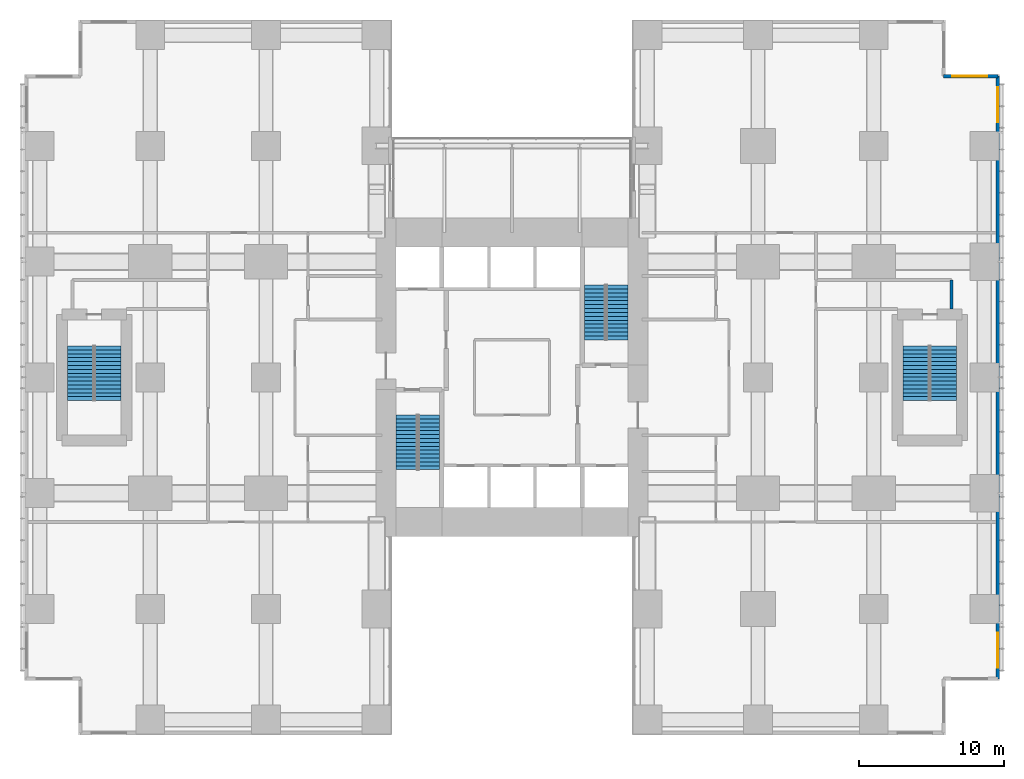
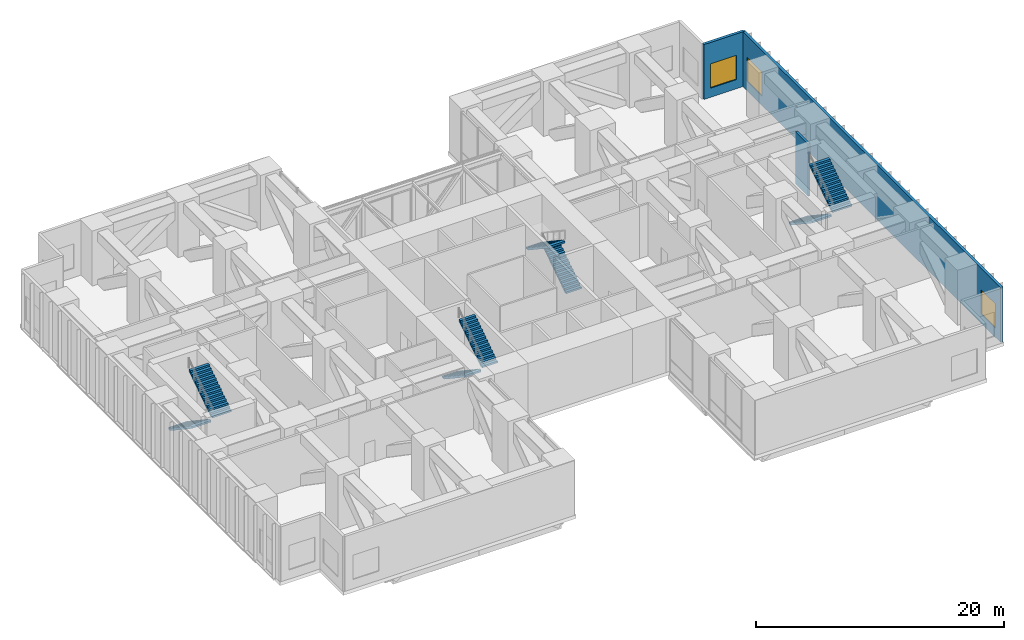
# One storey, part 16 of 17: 8 stair flights, 3 walls, 3 windows, 3 openings, 4 elements without a shape of their own.
"""IFC4 building model written with IfcOpenShell, lengths in metres."""

from ifc_helpers import new_model, si_unit, direction, frame, frame_2d, origin, place, context, subcontext, project, spatial, polyline, rectangle, outline, extrude, material, layer, layer_set, type_object, element, fill, aggregate, save


model = new_model("IFC4")

# Units and contexts
model_context = context("Model", 3, precision=1e-05, world=origin(), true_north=direction((0.0, 1.0)))
body_context = subcontext(model_context, "Body", "Model", "MODEL_VIEW")
ifc_project = project(units=[si_unit("LENGTHUNIT", "METRE"), si_unit("AREAUNIT", "SQUARE_METRE"), si_unit("VOLUMEUNIT", "CUBIC_METRE"), si_unit("PLANEANGLEUNIT", "RADIAN"), si_unit("MASSUNIT", "GRAM", prefix="KILO")], contexts=[model_context])

# Site, building, storey
site_placement = place(None, origin())
site = spatial("IfcSite", under=ifc_project, at=site_placement, CompositionType="ELEMENT")
building_placement = place(site_placement, origin())
building = spatial("IfcBuilding", under=site, at=building_placement, Name="Cleftline Residences", CompositionType="ELEMENT")
storey_placement = place(building_placement, frame((0.0, 0.0, 90.800048828125)))
storey = spatial("IfcBuildingStorey", under=building, at=storey_placement, Name="L23", CompositionType="ELEMENT", Elevation=90.800048828125)

# Wall, openings, windows
ifc_material_1 = material(Name="Rendered reinforced concrete blockwork", Category="masonry")
ifc_layer_1 = layer(ifc_material_1, 0.25)
ifc_layer_set_1 = layer_set([ifc_layer_1], Name="EXTERNAL WALL 250")
wall_type_1 = type_object("IfcWallType", Name="EXTERNAL WALL 250", PredefinedType="SOLIDWALL", material=ifc_layer_set_1)
wall_1_placement = place(storey_placement, frame((66.574951171875, 3.175048828125, 0.0), z_axis=(0.0, 0.0, 1.0), x_axis=(0.0, 1.0, 0.0)))
wall_1 = element("IfcWall", 1, at=wall_1_placement, inside=storey, type_object=wall_type_1, Name="External wall", PredefinedType="SOLIDWALL", context=body_context, shape_type="SweptSolid", body=[
    extrude(rectangle(XDim=41.64990234375, YDim=0.25, at=frame_2d((20.824951171875, 0.0))), origin(), (0.0, 0.0, 1.0), 5.39990234375),
])
opening_1_placement = place(wall_1_placement, frame((0.77490234375, 0.0, 0.89990234375)))
opening_1 = element("IfcOpeningElement", 2, at=opening_1_placement, cuts=wall_1, Name="Opening W9", PredefinedType="OPENING", context=body_context, shape_type="SweptSolid", body=[
    extrude(rectangle(XDim=2.39990234375, YDim=2.39990234375, at=frame_2d((1.199951171875, 1.199951171875))), frame((0.0, 0.135009765625, 0.0), z_axis=(0.0, -1.0, 0.0), x_axis=(1.0, 0.0, 0.0)), (0.0, 0.0, 1.0), 0.27001953125),
])
opening_2_placement = place(wall_1_placement, frame((38.47509765625, 0.0, 0.89990234375)))
opening_2 = element("IfcOpeningElement", 3, at=opening_2_placement, cuts=wall_1, Name="Opening W9", PredefinedType="OPENING", context=body_context, shape_type="SweptSolid", body=[
    extrude(rectangle(XDim=2.39990234375, YDim=2.39990234375, at=frame_2d((1.199951171875, 1.199951171875))), frame((0.0, 0.135009765625, 0.0), z_axis=(0.0, -1.0, 0.0), x_axis=(1.0, 0.0, 0.0)), (0.0, 0.0, 1.0), 0.27001953125),
])
ifc_material_2 = material(Name="Aluminium frame, clear double glazing", Category="aluminium")
window_type = type_object("IfcWindowType", Name="WINDOW 2400X2400", PartitioningType="DOUBLE_PANEL_VERTICAL", PredefinedType="WINDOW", material=ifc_material_2)
window_1_placement = place(opening_1_placement, origin())
window_1 = element("IfcWindow", 4, at=window_1_placement, inside=storey, type_object=window_type, Name="Window", OverallHeight=2.39990234375, OverallWidth=2.39990234375, PartitioningType="SINGLE_PANEL", PredefinedType="WINDOW", context=body_context, shape_type="SweptSolid", body=[
    extrude(rectangle(XDim=2.39990234375, YDim=2.39990234375, at=frame_2d((1.199951171875, 1.199951171875))), frame((0.0, 0.030029296875, 0.0), z_axis=(0.0, -1.0, 0.0), x_axis=(1.0, 0.0, 0.0)), (0.0, 0.0, 1.0), 0.06005859375),
])
fill(opening_1, window_1)
window_2_placement = place(opening_2_placement, origin())
window_2 = element("IfcWindow", 5, at=window_2_placement, inside=storey, type_object=window_type, Name="Window", OverallHeight=2.39990234375, OverallWidth=2.39990234375, PartitioningType="SINGLE_PANEL", PredefinedType="WINDOW", context=body_context, shape_type="SweptSolid", body=[
    extrude(rectangle(XDim=2.39990234375, YDim=2.39990234375, at=frame_2d((1.199951171875, 1.199951171875))), frame((0.0, 0.030029296875, 0.0), z_axis=(0.0, -1.0, 0.0), x_axis=(1.0, 0.0, 0.0)), (0.0, 0.0, 1.0), 0.06005859375),
])
fill(opening_2, window_2)

# Wall, opening, window
wall_2_placement = place(storey_placement, frame((66.574951171875, 44.824951171875, 0.0), z_axis=(0.0, 0.0, 1.0), x_axis=(-1.0, 0.0, 0.0)))
wall_2 = element("IfcWall", 6, at=wall_2_placement, inside=storey, type_object=wall_type_1, Name="External wall", PredefinedType="SOLIDWALL", context=body_context, shape_type="SweptSolid", body=[
    extrude(rectangle(XDim=3.75, YDim=0.25, at=frame_2d((1.875, 0.0))), origin(), (0.0, 0.0, 1.0), 5.39990234375),
])
opening_3_placement = place(wall_2_placement, frame((0.737548828125, 0.0, 0.89990234375)))
opening_3 = element("IfcOpeningElement", 7, at=opening_3_placement, cuts=wall_2, Name="Opening W9", PredefinedType="OPENING", context=body_context, shape_type="SweptSolid", body=[
    extrude(rectangle(XDim=2.39990234375, YDim=2.39990234375, at=frame_2d((1.199951171875, 1.199951171875))), frame((0.0, 0.135009765625, 0.0), z_axis=(0.0, -1.0, 0.0), x_axis=(1.0, 0.0, 0.0)), (0.0, 0.0, 1.0), 0.27001953125),
])
window_3_placement = place(opening_3_placement, origin())
window_3 = element("IfcWindow", 8, at=window_3_placement, inside=storey, type_object=window_type, Name="Window", OverallHeight=2.39990234375, OverallWidth=2.39990234375, PartitioningType="SINGLE_PANEL", PredefinedType="WINDOW", context=body_context, shape_type="SweptSolid", body=[
    extrude(rectangle(XDim=2.39990234375, YDim=2.39990234375, at=frame_2d((1.199951171875, 1.199951171875))), frame((0.0, 0.030029296875, 0.0), z_axis=(0.0, -1.0, 0.0), x_axis=(1.0, 0.0, 0.0)), (0.0, 0.0, 1.0), 0.06005859375),
])
fill(opening_3, window_3)

# Wall
ifc_material_3 = material(Name="Concrete blockwork, fire rated", Category="masonry")
ifc_layer_2 = layer(ifc_material_3, 0.199951171875)
ifc_layer_set_2 = layer_set([ifc_layer_2], Name="FIRE WALL 200")
wall_type_2 = type_object("IfcWallType", Name="FIRE WALL 200", PredefinedType="PARTITIONING", material=ifc_layer_set_2)
wall_3_placement = place(storey_placement, frame((63.375, 28.72509765625, 0.0), z_axis=(0.0, 0.0, 1.0), x_axis=(0.0, 1.0, 0.0)))
element("IfcWall", 9, at=wall_3_placement, inside=storey, type_object=wall_type_2, Name="Fire separating wall", PredefinedType="PARTITIONING", context=body_context, shape_type="SweptSolid", body=[
    extrude(rectangle(XDim=2.0, YDim=0.199951171875, at=frame_2d((1.0, 0.0))), origin(), (0.0, 0.0, 1.0), 5.14990234375),
])

# Stair, stair flights
ifc_material_4 = material(Name="Concrete B45, stone treads", Category="masonry")
stair_type_1 = type_object("IfcStairType", Name="STAIR A 1450 WIDE 180 RISER", PredefinedType="HALF_TURN_STAIR", material=ifc_material_4)
stair_1_placement = place(storey_placement, origin())
stair_1 = element("IfcStair", 10, at=stair_1_placement, inside=storey, type_object=stair_type_1, Name="Stair A L23", PredefinedType="HALF_TURN_STAIR")
ifc_material_5 = material(Name="Concrete B45", Category="concrete")
stair_flight_type_1 = type_object("IfcStairFlightType", Name="STAIR A FLIGHT 1450X180", PredefinedType="STRAIGHT", material=ifc_material_5)
stair_flight_1_placement = place(storey_placement, frame((25.72509765625, 21.39990234375, 0.0), z_axis=(0.0, 0.0, 1.0), x_axis=(0.0, -1.0, 0.0)))
stair_flight_1 = element("IfcStairFlight", 11, at=stair_flight_1_placement, type_object=stair_flight_type_1, Name="ST-A flight 1", NumberOfRisers=15, NumberOfTreads=14, PredefinedType="STRAIGHT", RiserHeight=0.18, TreadLength=0.27, context=body_context, shape_type="SweptSolid", body=[
    extrude(outline(polyline([(0.0, 0.0), (0.0, 0.013916015625), (0.0, 0.027587890625), (0.0, 0.04150390625), (0.0, 0.055419921875), (0.0, 0.0693359375), (0.0, 0.0830078125), (0.0, 0.096923828125), (0.0, 0.11083984375), (0.0, 0.12451171875), (0.0, 0.138427734375), (0.0, 0.15234375), (0.0, 0.166259765625), (0.0, 0.179931640625), (0.27001953125, 0.179931640625), (0.27001953125, 0.360107421875), (0.5400390625, 0.360107421875), (0.5400390625, 0.5400390625), (0.81005859375, 0.5400390625), (0.81005859375, 0.719970703125), (1.080078125, 0.719970703125), (1.080078125, 0.89990234375), (1.35009765625, 0.89990234375), (1.35009765625, 1.080078125), (1.6201171875, 1.080078125), (1.6201171875, 1.260009765625), (1.889892578125, 1.260009765625), (1.889892578125, 1.43994140625), (2.159912109375, 1.43994140625), (2.159912109375, 1.6201171875), (2.429931640625, 1.6201171875), (2.429931640625, 1.800048828125), (2.699951171875, 1.800048828125), (2.699951171875, 1.97998046875), (2.969970703125, 1.97998046875), (2.969970703125, 2.159912109375), (3.239990234375, 2.159912109375), (3.239990234375, 2.340087890625), (3.510009765625, 2.340087890625), (3.510009765625, 2.52001953125), (3.780029296875, 2.52001953125), (3.780029296875, 2.699951171875), (3.780029296875, 2.67236328125), (3.780029296875, 2.64453125), (3.780029296875, 2.616943359375), (3.780029296875, 2.589111328125), (3.780029296875, 2.5615234375), (3.780029296875, 2.53369140625), (3.780029296875, 2.506103515625), (3.780029296875, 2.478271484375), (3.780029296875, 2.45068359375), (3.780029296875, 2.4228515625), (3.780029296875, 2.395263671875), (3.780029296875, 2.367431640625), (3.780029296875, 2.33984375), (0.270263671875, 0.0), (0.0, 0.0)])), frame((0.0, 0.72509765625, 0.0), z_axis=(0.0, -1.0, 0.0), x_axis=(1.0, 0.0, 0.0)), (0.0, 0.0, 1.0), 1.449951171875),
])
stair_flight_2_placement = place(storey_placement, frame((27.27490234375, 17.6201171875, 2.699951171875), z_axis=(0.0, 0.0, 1.0), x_axis=(0.0, 1.0, 0.0)))
stair_flight_2 = element("IfcStairFlight", 12, at=stair_flight_2_placement, type_object=stair_flight_type_1, Name="ST-A flight 2", NumberOfRisers=15, NumberOfTreads=14, PredefinedType="STRAIGHT", RiserHeight=0.18, TreadLength=0.27, context=body_context, shape_type="SweptSolid", body=[
    extrude(outline(polyline([(0.0, 0.0), (0.0, 0.013916015625), (0.0, 0.027587890625), (0.0, 0.04150390625), (0.0, 0.055419921875), (0.0, 0.0693359375), (0.0, 0.0830078125), (0.0, 0.096923828125), (0.0, 0.11083984375), (0.0, 0.12451171875), (0.0, 0.138427734375), (0.0, 0.15234375), (0.0, 0.166259765625), (0.0, 0.179931640625), (0.27001953125, 0.179931640625), (0.27001953125, 0.360107421875), (0.5400390625, 0.360107421875), (0.5400390625, 0.5400390625), (0.81005859375, 0.5400390625), (0.81005859375, 0.719970703125), (1.080078125, 0.719970703125), (1.080078125, 0.89990234375), (1.35009765625, 0.89990234375), (1.35009765625, 1.080078125), (1.6201171875, 1.080078125), (1.6201171875, 1.260009765625), (1.889892578125, 1.260009765625), (1.889892578125, 1.43994140625), (2.159912109375, 1.43994140625), (2.159912109375, 1.6201171875), (2.429931640625, 1.6201171875), (2.429931640625, 1.800048828125), (2.699951171875, 1.800048828125), (2.699951171875, 1.97998046875), (2.969970703125, 1.97998046875), (2.969970703125, 2.159912109375), (3.239990234375, 2.159912109375), (3.239990234375, 2.340087890625), (3.510009765625, 2.340087890625), (3.510009765625, 2.52001953125), (3.780029296875, 2.52001953125), (3.780029296875, 2.699951171875), (3.780029296875, 2.67236328125), (3.780029296875, 2.64453125), (3.780029296875, 2.616943359375), (3.780029296875, 2.589111328125), (3.780029296875, 2.5615234375), (3.780029296875, 2.53369140625), (3.780029296875, 2.506103515625), (3.780029296875, 2.478271484375), (3.780029296875, 2.45068359375), (3.780029296875, 2.4228515625), (3.780029296875, 2.395263671875), (3.780029296875, 2.367431640625), (3.780029296875, 2.33984375), (0.270263671875, 0.0), (0.0, 0.0)])), frame((0.0, 0.72509765625, 0.0), z_axis=(0.0, -1.0, 0.0), x_axis=(1.0, 0.0, 0.0)), (0.0, 0.0, 1.0), 1.449951171875),
])
aggregate(stair_1, [stair_flight_1, stair_flight_2])

ifc_material_6 = material(Name="Concrete B45, stone treads", Category="masonry")
stair_type_2 = type_object("IfcStairType", Name="STAIR B 1450 WIDE 180 RISER", PredefinedType="HALF_TURN_STAIR", material=ifc_material_6)
stair_2_placement = place(storey_placement, origin())
stair_2 = element("IfcStair", 13, at=stair_2_placement, inside=storey, type_object=stair_type_2, Name="Stair B L23", PredefinedType="HALF_TURN_STAIR")
ifc_material_7 = material(Name="Concrete B45", Category="concrete")
stair_flight_type_2 = type_object("IfcStairFlightType", Name="STAIR B FLIGHT 1450X180", PredefinedType="STRAIGHT", material=ifc_material_7)
stair_flight_3_placement = place(storey_placement, frame((40.27490234375, 26.60009765625, 0.0), z_axis=(0.0, 0.0, 1.0), x_axis=(0.0, 1.0, 0.0)))
stair_flight_3 = element("IfcStairFlight", 14, at=stair_flight_3_placement, type_object=stair_flight_type_2, Name="ST-B flight 1", NumberOfRisers=15, NumberOfTreads=14, PredefinedType="STRAIGHT", RiserHeight=0.18, TreadLength=0.27, context=body_context, shape_type="SweptSolid", body=[
    extrude(outline(polyline([(0.0, 0.0), (0.0, 0.013916015625), (0.0, 0.027587890625), (0.0, 0.04150390625), (0.0, 0.055419921875), (0.0, 0.0693359375), (0.0, 0.0830078125), (0.0, 0.096923828125), (0.0, 0.11083984375), (0.0, 0.12451171875), (0.0, 0.138427734375), (0.0, 0.15234375), (0.0, 0.166259765625), (0.0, 0.179931640625), (0.27001953125, 0.179931640625), (0.27001953125, 0.360107421875), (0.5400390625, 0.360107421875), (0.5400390625, 0.5400390625), (0.81005859375, 0.5400390625), (0.81005859375, 0.719970703125), (1.080078125, 0.719970703125), (1.080078125, 0.89990234375), (1.35009765625, 0.89990234375), (1.35009765625, 1.080078125), (1.6201171875, 1.080078125), (1.6201171875, 1.260009765625), (1.889892578125, 1.260009765625), (1.889892578125, 1.43994140625), (2.159912109375, 1.43994140625), (2.159912109375, 1.6201171875), (2.429931640625, 1.6201171875), (2.429931640625, 1.800048828125), (2.699951171875, 1.800048828125), (2.699951171875, 1.97998046875), (2.969970703125, 1.97998046875), (2.969970703125, 2.159912109375), (3.239990234375, 2.159912109375), (3.239990234375, 2.340087890625), (3.510009765625, 2.340087890625), (3.510009765625, 2.52001953125), (3.780029296875, 2.52001953125), (3.780029296875, 2.699951171875), (3.780029296875, 2.67236328125), (3.780029296875, 2.64453125), (3.780029296875, 2.616943359375), (3.780029296875, 2.589111328125), (3.780029296875, 2.5615234375), (3.780029296875, 2.53369140625), (3.780029296875, 2.506103515625), (3.780029296875, 2.478271484375), (3.780029296875, 2.45068359375), (3.780029296875, 2.4228515625), (3.780029296875, 2.395263671875), (3.780029296875, 2.367431640625), (3.780029296875, 2.33984375), (0.270263671875, 0.0), (0.0, 0.0)])), frame((0.0, 0.72509765625, 0.0), z_axis=(0.0, -1.0, 0.0), x_axis=(1.0, 0.0, 0.0)), (0.0, 0.0, 1.0), 1.449951171875),
])
stair_flight_4_placement = place(storey_placement, frame((38.72509765625, 30.3798828125, 2.699951171875), z_axis=(0.0, 0.0, 1.0), x_axis=(0.0, -1.0, 0.0)))
stair_flight_4 = element("IfcStairFlight", 15, at=stair_flight_4_placement, type_object=stair_flight_type_2, Name="ST-B flight 2", NumberOfRisers=15, NumberOfTreads=14, PredefinedType="STRAIGHT", RiserHeight=0.18, TreadLength=0.27, context=body_context, shape_type="SweptSolid", body=[
    extrude(outline(polyline([(0.0, 0.0), (0.0, 0.013916015625), (0.0, 0.027587890625), (0.0, 0.04150390625), (0.0, 0.055419921875), (0.0, 0.0693359375), (0.0, 0.0830078125), (0.0, 0.096923828125), (0.0, 0.11083984375), (0.0, 0.12451171875), (0.0, 0.138427734375), (0.0, 0.15234375), (0.0, 0.166259765625), (0.0, 0.179931640625), (0.27001953125, 0.179931640625), (0.27001953125, 0.360107421875), (0.5400390625, 0.360107421875), (0.5400390625, 0.5400390625), (0.81005859375, 0.5400390625), (0.81005859375, 0.719970703125), (1.080078125, 0.719970703125), (1.080078125, 0.89990234375), (1.35009765625, 0.89990234375), (1.35009765625, 1.080078125), (1.6201171875, 1.080078125), (1.6201171875, 1.260009765625), (1.889892578125, 1.260009765625), (1.889892578125, 1.43994140625), (2.159912109375, 1.43994140625), (2.159912109375, 1.6201171875), (2.429931640625, 1.6201171875), (2.429931640625, 1.800048828125), (2.699951171875, 1.800048828125), (2.699951171875, 1.97998046875), (2.969970703125, 1.97998046875), (2.969970703125, 2.159912109375), (3.239990234375, 2.159912109375), (3.239990234375, 2.340087890625), (3.510009765625, 2.340087890625), (3.510009765625, 2.52001953125), (3.780029296875, 2.52001953125), (3.780029296875, 2.699951171875), (3.780029296875, 2.67236328125), (3.780029296875, 2.64453125), (3.780029296875, 2.616943359375), (3.780029296875, 2.589111328125), (3.780029296875, 2.5615234375), (3.780029296875, 2.53369140625), (3.780029296875, 2.506103515625), (3.780029296875, 2.478271484375), (3.780029296875, 2.45068359375), (3.780029296875, 2.4228515625), (3.780029296875, 2.395263671875), (3.780029296875, 2.367431640625), (3.780029296875, 2.33984375), (0.270263671875, 0.0), (0.0, 0.0)])), frame((0.0, 0.72509765625, 0.0), z_axis=(0.0, -1.0, 0.0), x_axis=(1.0, 0.0, 0.0)), (0.0, 0.0, 1.0), 1.449951171875),
])
aggregate(stair_2, [stair_flight_3, stair_flight_4])

ifc_material_8 = material(Name="Concrete B45, stone treads", Category="masonry")
stair_type_3 = type_object("IfcStairType", Name="STAIR E 1800 WIDE 180 RISER", PredefinedType="HALF_TURN_STAIR", material=ifc_material_8)
stair_3_placement = place(storey_placement, origin())
stair_3 = element("IfcStair", 16, at=stair_3_placement, inside=storey, type_object=stair_type_3, Name="Stair E L23", PredefinedType="HALF_TURN_STAIR")
ifc_material_9 = material(Name="Concrete B45", Category="concrete")
stair_flight_type_3 = type_object("IfcStairFlightType", Name="STAIR E FLIGHT 1800X180", PredefinedType="STRAIGHT", material=ifc_material_9)
stair_flight_5_placement = place(storey_placement, frame((60.925048828125, 26.175048828125, 0.0), z_axis=(0.0, 0.0, 1.0), x_axis=(0.0, -1.0, 0.0)))
stair_flight_5 = element("IfcStairFlight", 17, at=stair_flight_5_placement, type_object=stair_flight_type_3, Name="ST-E flight 1", NumberOfRisers=15, NumberOfTreads=14, PredefinedType="STRAIGHT", RiserHeight=0.18, TreadLength=0.27, context=body_context, shape_type="SweptSolid", body=[
    extrude(outline(polyline([(0.0, 0.0), (0.0, 0.013916015625), (0.0, 0.027587890625), (0.0, 0.04150390625), (0.0, 0.055419921875), (0.0, 0.0693359375), (0.0, 0.0830078125), (0.0, 0.096923828125), (0.0, 0.11083984375), (0.0, 0.12451171875), (0.0, 0.138427734375), (0.0, 0.15234375), (0.0, 0.166259765625), (0.0, 0.179931640625), (0.27001953125, 0.179931640625), (0.27001953125, 0.360107421875), (0.5400390625, 0.360107421875), (0.5400390625, 0.5400390625), (0.81005859375, 0.5400390625), (0.81005859375, 0.719970703125), (1.080078125, 0.719970703125), (1.080078125, 0.89990234375), (1.35009765625, 0.89990234375), (1.35009765625, 1.080078125), (1.6201171875, 1.080078125), (1.6201171875, 1.260009765625), (1.889892578125, 1.260009765625), (1.889892578125, 1.43994140625), (2.159912109375, 1.43994140625), (2.159912109375, 1.6201171875), (2.429931640625, 1.6201171875), (2.429931640625, 1.800048828125), (2.699951171875, 1.800048828125), (2.699951171875, 1.97998046875), (2.969970703125, 1.97998046875), (2.969970703125, 2.159912109375), (3.239990234375, 2.159912109375), (3.239990234375, 2.340087890625), (3.510009765625, 2.340087890625), (3.510009765625, 2.52001953125), (3.780029296875, 2.52001953125), (3.780029296875, 2.699951171875), (3.780029296875, 2.67236328125), (3.780029296875, 2.64453125), (3.780029296875, 2.616943359375), (3.780029296875, 2.589111328125), (3.780029296875, 2.5615234375), (3.780029296875, 2.53369140625), (3.780029296875, 2.506103515625), (3.780029296875, 2.478271484375), (3.780029296875, 2.45068359375), (3.780029296875, 2.4228515625), (3.780029296875, 2.395263671875), (3.780029296875, 2.367431640625), (3.780029296875, 2.33984375), (0.270263671875, 0.0), (0.0, 0.0)])), frame((0.0, 0.89990234375, 0.0), z_axis=(0.0, -1.0, 0.0), x_axis=(1.0, 0.0, 0.0)), (0.0, 0.0, 1.0), 1.800048828125),
])
stair_flight_6_placement = place(storey_placement, frame((62.824951171875, 22.39501953125, 2.699951171875), z_axis=(0.0, 0.0, 1.0), x_axis=(0.0, 1.0, 0.0)))
stair_flight_6 = element("IfcStairFlight", 18, at=stair_flight_6_placement, type_object=stair_flight_type_3, Name="ST-E flight 2", NumberOfRisers=15, NumberOfTreads=14, PredefinedType="STRAIGHT", RiserHeight=0.18, TreadLength=0.27, context=body_context, shape_type="SweptSolid", body=[
    extrude(outline(polyline([(0.0, 0.0), (0.0, 0.013916015625), (0.0, 0.027587890625), (0.0, 0.04150390625), (0.0, 0.055419921875), (0.0, 0.0693359375), (0.0, 0.0830078125), (0.0, 0.096923828125), (0.0, 0.11083984375), (0.0, 0.12451171875), (0.0, 0.138427734375), (0.0, 0.15234375), (0.0, 0.166259765625), (0.0, 0.179931640625), (0.27001953125, 0.179931640625), (0.27001953125, 0.360107421875), (0.5400390625, 0.360107421875), (0.5400390625, 0.5400390625), (0.81005859375, 0.5400390625), (0.81005859375, 0.719970703125), (1.080078125, 0.719970703125), (1.080078125, 0.89990234375), (1.35009765625, 0.89990234375), (1.35009765625, 1.080078125), (1.6201171875, 1.080078125), (1.6201171875, 1.260009765625), (1.889892578125, 1.260009765625), (1.889892578125, 1.43994140625), (2.159912109375, 1.43994140625), (2.159912109375, 1.6201171875), (2.429931640625, 1.6201171875), (2.429931640625, 1.800048828125), (2.699951171875, 1.800048828125), (2.699951171875, 1.97998046875), (2.969970703125, 1.97998046875), (2.969970703125, 2.159912109375), (3.239990234375, 2.159912109375), (3.239990234375, 2.340087890625), (3.510009765625, 2.340087890625), (3.510009765625, 2.52001953125), (3.780029296875, 2.52001953125), (3.780029296875, 2.699951171875), (3.780029296875, 2.67236328125), (3.780029296875, 2.64453125), (3.780029296875, 2.616943359375), (3.780029296875, 2.589111328125), (3.780029296875, 2.5615234375), (3.780029296875, 2.53369140625), (3.780029296875, 2.506103515625), (3.780029296875, 2.478271484375), (3.780029296875, 2.45068359375), (3.780029296875, 2.4228515625), (3.780029296875, 2.395263671875), (3.780029296875, 2.367431640625), (3.780029296875, 2.33984375), (0.270263671875, 0.0), (0.0, 0.0)])), frame((0.0, 0.89990234375, 0.0), z_axis=(0.0, -1.0, 0.0), x_axis=(1.0, 0.0, 0.0)), (0.0, 0.0, 1.0), 1.800048828125),
])
aggregate(stair_3, [stair_flight_5, stair_flight_6])

ifc_material_10 = material(Name="Concrete B45, stone treads", Category="masonry")
stair_type_4 = type_object("IfcStairType", Name="STAIR W 1800 WIDE 180 RISER", PredefinedType="HALF_TURN_STAIR", material=ifc_material_10)
stair_4_placement = place(storey_placement, origin())
stair_4 = element("IfcStair", 19, at=stair_4_placement, inside=storey, type_object=stair_type_4, Name="Stair W L23", PredefinedType="HALF_TURN_STAIR")
ifc_material_11 = material(Name="Concrete B45", Category="concrete")
stair_flight_type_4 = type_object("IfcStairFlightType", Name="STAIR W FLIGHT 1800X180", PredefinedType="STRAIGHT", material=ifc_material_11)
stair_flight_7_placement = place(storey_placement, frame((3.175048828125, 26.175048828125, 0.0), z_axis=(0.0, 0.0, 1.0), x_axis=(0.0, -1.0, 0.0)))
stair_flight_7 = element("IfcStairFlight", 20, at=stair_flight_7_placement, type_object=stair_flight_type_4, Name="ST-W flight 1", NumberOfRisers=15, NumberOfTreads=14, PredefinedType="STRAIGHT", RiserHeight=0.18, TreadLength=0.27, context=body_context, shape_type="SweptSolid", body=[
    extrude(outline(polyline([(0.0, 0.0), (0.0, 0.013916015625), (0.0, 0.027587890625), (0.0, 0.04150390625), (0.0, 0.055419921875), (0.0, 0.0693359375), (0.0, 0.0830078125), (0.0, 0.096923828125), (0.0, 0.11083984375), (0.0, 0.12451171875), (0.0, 0.138427734375), (0.0, 0.15234375), (0.0, 0.166259765625), (0.0, 0.179931640625), (0.27001953125, 0.179931640625), (0.27001953125, 0.360107421875), (0.5400390625, 0.360107421875), (0.5400390625, 0.5400390625), (0.81005859375, 0.5400390625), (0.81005859375, 0.719970703125), (1.080078125, 0.719970703125), (1.080078125, 0.89990234375), (1.35009765625, 0.89990234375), (1.35009765625, 1.080078125), (1.6201171875, 1.080078125), (1.6201171875, 1.260009765625), (1.889892578125, 1.260009765625), (1.889892578125, 1.43994140625), (2.159912109375, 1.43994140625), (2.159912109375, 1.6201171875), (2.429931640625, 1.6201171875), (2.429931640625, 1.800048828125), (2.699951171875, 1.800048828125), (2.699951171875, 1.97998046875), (2.969970703125, 1.97998046875), (2.969970703125, 2.159912109375), (3.239990234375, 2.159912109375), (3.239990234375, 2.340087890625), (3.510009765625, 2.340087890625), (3.510009765625, 2.52001953125), (3.780029296875, 2.52001953125), (3.780029296875, 2.699951171875), (3.780029296875, 2.67236328125), (3.780029296875, 2.64453125), (3.780029296875, 2.616943359375), (3.780029296875, 2.589111328125), (3.780029296875, 2.5615234375), (3.780029296875, 2.53369140625), (3.780029296875, 2.506103515625), (3.780029296875, 2.478271484375), (3.780029296875, 2.45068359375), (3.780029296875, 2.4228515625), (3.780029296875, 2.395263671875), (3.780029296875, 2.367431640625), (3.780029296875, 2.33984375), (0.270263671875, 0.0), (0.0, 0.0)])), frame((0.0, 0.89990234375, 0.0), z_axis=(0.0, -1.0, 0.0), x_axis=(1.0, 0.0, 0.0)), (0.0, 0.0, 1.0), 1.800048828125),
])
stair_flight_8_placement = place(storey_placement, frame((5.074951171875, 22.39501953125, 2.699951171875), z_axis=(0.0, 0.0, 1.0), x_axis=(0.0, 1.0, 0.0)))
stair_flight_8 = element("IfcStairFlight", 21, at=stair_flight_8_placement, type_object=stair_flight_type_4, Name="ST-W flight 2", NumberOfRisers=15, NumberOfTreads=14, PredefinedType="STRAIGHT", RiserHeight=0.18, TreadLength=0.27, context=body_context, shape_type="SweptSolid", body=[
    extrude(outline(polyline([(0.0, 0.0), (0.0, 0.013916015625), (0.0, 0.027587890625), (0.0, 0.04150390625), (0.0, 0.055419921875), (0.0, 0.0693359375), (0.0, 0.0830078125), (0.0, 0.096923828125), (0.0, 0.11083984375), (0.0, 0.12451171875), (0.0, 0.138427734375), (0.0, 0.15234375), (0.0, 0.166259765625), (0.0, 0.179931640625), (0.27001953125, 0.179931640625), (0.27001953125, 0.360107421875), (0.5400390625, 0.360107421875), (0.5400390625, 0.5400390625), (0.81005859375, 0.5400390625), (0.81005859375, 0.719970703125), (1.080078125, 0.719970703125), (1.080078125, 0.89990234375), (1.35009765625, 0.89990234375), (1.35009765625, 1.080078125), (1.6201171875, 1.080078125), (1.6201171875, 1.260009765625), (1.889892578125, 1.260009765625), (1.889892578125, 1.43994140625), (2.159912109375, 1.43994140625), (2.159912109375, 1.6201171875), (2.429931640625, 1.6201171875), (2.429931640625, 1.800048828125), (2.699951171875, 1.800048828125), (2.699951171875, 1.97998046875), (2.969970703125, 1.97998046875), (2.969970703125, 2.159912109375), (3.239990234375, 2.159912109375), (3.239990234375, 2.340087890625), (3.510009765625, 2.340087890625), (3.510009765625, 2.52001953125), (3.780029296875, 2.52001953125), (3.780029296875, 2.699951171875), (3.780029296875, 2.67236328125), (3.780029296875, 2.64453125), (3.780029296875, 2.616943359375), (3.780029296875, 2.589111328125), (3.780029296875, 2.5615234375), (3.780029296875, 2.53369140625), (3.780029296875, 2.506103515625), (3.780029296875, 2.478271484375), (3.780029296875, 2.45068359375), (3.780029296875, 2.4228515625), (3.780029296875, 2.395263671875), (3.780029296875, 2.367431640625), (3.780029296875, 2.33984375), (0.270263671875, 0.0), (0.0, 0.0)])), frame((0.0, 0.89990234375, 0.0), z_axis=(0.0, -1.0, 0.0), x_axis=(1.0, 0.0, 0.0)), (0.0, 0.0, 1.0), 1.800048828125),
])
aggregate(stair_4, [stair_flight_7, stair_flight_8])

save(model, "model.ifc")
